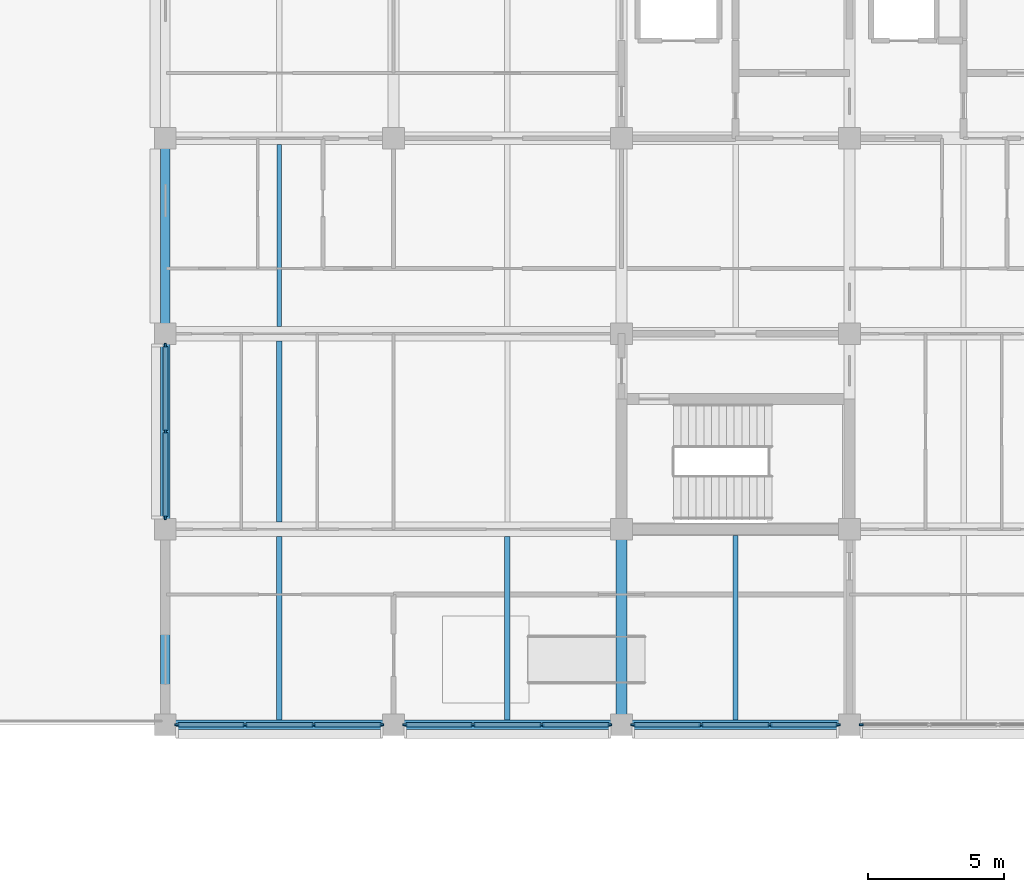
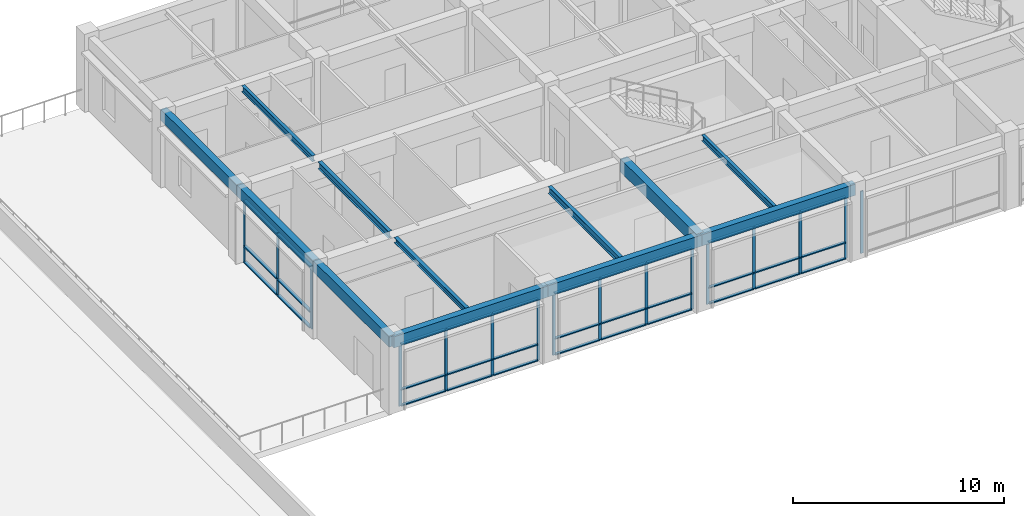
# One storey, part 2 of 40: 49 members, 12 beams, 5 elements without a shape of their own.
"""IFC4 building model written with IfcOpenShell, lengths in metres."""

from ifc_helpers import new_model, si_unit, direction, frame, origin, origin_2d, place, context, subcontext, project, spatial, rectangle, i_section, extrude, material, layer, layer_set, material_profile, profile_set, type_object, element, aggregate, save


model = new_model("IFC4")

# Units and contexts
model_context = context("Model", 3, precision=1e-05, world=origin(), true_north=direction((0.0, 1.0)))
body_context = subcontext(model_context, "Body", "Model", "MODEL_VIEW")
ifc_project = project(units=[si_unit("LENGTHUNIT", "METRE"), si_unit("AREAUNIT", "SQUARE_METRE"), si_unit("VOLUMEUNIT", "CUBIC_METRE"), si_unit("PLANEANGLEUNIT", "RADIAN"), si_unit("MASSUNIT", "GRAM", prefix="KILO")], contexts=[model_context])

# Site, building, storey
site_placement = place(None, origin())
site = spatial("IfcSite", under=ifc_project, at=site_placement, CompositionType="ELEMENT")
building_placement = place(site_placement, origin())
building = spatial("IfcBuilding", under=site, at=building_placement, Name="Chengyuan Square Courthouse", CompositionType="ELEMENT")
storey_placement = place(building_placement, frame((0.0, 0.0, 21.60009765625)))
storey = spatial("IfcBuildingStorey", under=building, at=storey_placement, Name="L05", CompositionType="ELEMENT", Elevation=21.60009765625)

# Beams
ifc_material_1 = material(Name="Concrete C40", Category="concrete")
ifc_material_profile_1 = material_profile(ifc_material_1, rectangle(XDim=0.39990234375, YDim=0.75, at=origin_2d()), Name="RC-BM-400x750")
ifc_profile_set_1 = profile_set([ifc_material_profile_1], Name="Concrete C40")
beam_type_1 = type_object("IfcBeamType", Name="BM-02", PredefinedType="USERDEFINED", material=ifc_profile_set_1)
beam_1_placement = place(storey_placement, frame((42.0, 79.199951171875, 3.864990234375), z_axis=(0.0, 1.0, 0.0), x_axis=(-1.0, 0.0, 0.0)))
element("IfcBeam", 1, at=beam_1_placement, inside=storey, type_object=beam_type_1, Name="Girder BM-L05-3274", ObjectType="GIRDER", PredefinedType="USERDEFINED", context=body_context, shape_type="SweptSolid", body=[
    extrude(rectangle(XDim=0.39990234375, YDim=0.75, at=origin_2d()), origin(), (0.0, 0.0, 1.0), 7.199951171875),
])
ifc_material_profile_2 = material_profile(ifc_material_1, rectangle(XDim=0.35009765625, YDim=0.64990234375, at=origin_2d()), Name="RC-BM-350x650")
ifc_profile_set_2 = profile_set([ifc_material_profile_2], Name="Concrete C40")
beam_type_2 = type_object("IfcBeamType", Name="BM-03", PredefinedType="SPANDREL", material=ifc_profile_set_2)
beam_2_placement = place(storey_placement, frame((25.199951171875, 79.199951171875, 3.914794921875), z_axis=(1.0, 0.0, 0.0), x_axis=(0.0, 1.0, 0.0)))
element("IfcBeam", 2, at=beam_2_placement, inside=storey, type_object=beam_type_2, Name="Girder BM-L05-3195", PredefinedType="SPANDREL", context=body_context, shape_type="SweptSolid", body=[
    extrude(rectangle(XDim=0.35009765625, YDim=0.64990234375, at=origin_2d()), origin(), (0.0, 0.0, 1.0), 8.400146484375),
])
for number, where, z_axis, x_axis, name in (
    (3, (33.60009765625, 79.199951171875, 3.914794921875), (1.0, 0.0, 0.0), (0.0, 1.0, 0.0), "Girder BM-L05-3196"),
    (4, (42.0, 79.199951171875, 3.914794921875), (1.0, 0.0, 0.0), (0.0, 1.0, 0.0), "Girder BM-L05-3197"),
):
    element("IfcBeam", number, at=place(storey_placement, frame(where, z_axis=z_axis, x_axis=x_axis)), inside=storey, type_object=beam_type_2, Name=name, PredefinedType="SPANDREL", context=body_context, shape_type="SweptSolid", body=[
        extrude(rectangle(XDim=0.35009765625, YDim=0.64990234375, at=origin_2d()), origin(), (0.0, 0.0, 1.0), 8.39990234375),
    ])
beam_3_placement = place(storey_placement, frame((25.199951171875, 79.199951171875, 3.914794921875), z_axis=(0.0, 1.0, 0.0), x_axis=(-1.0, 0.0, 0.0)))
element("IfcBeam", 5, at=beam_3_placement, inside=storey, type_object=beam_type_2, Name="Girder BM-L05-3269", PredefinedType="SPANDREL", context=body_context, shape_type="SweptSolid", body=[
    extrude(rectangle(XDim=0.35009765625, YDim=0.64990234375, at=origin_2d()), origin(), (0.0, 0.0, 1.0), 7.199951171875),
])
beam_4_placement = place(storey_placement, frame((25.199951171875, 86.39990234375, 3.914794921875), z_axis=(0.0, 1.0, 0.0), x_axis=(-1.0, 0.0, 0.0)))
element("IfcBeam", 6, at=beam_4_placement, inside=storey, type_object=beam_type_2, Name="Girder BM-L05-3270", PredefinedType="SPANDREL", context=body_context, shape_type="SweptSolid", body=[
    extrude(rectangle(XDim=0.35009765625, YDim=0.64990234375, at=origin_2d()), origin(), (0.0, 0.0, 1.0), 7.2001953125),
])
beam_5_placement = place(storey_placement, frame((25.199951171875, 93.60009765625, 3.914794921875), z_axis=(0.0, 1.0, 0.0), x_axis=(-1.0, 0.0, 0.0)))
element("IfcBeam", 7, at=beam_5_placement, inside=storey, type_object=beam_type_2, Name="Girder BM-L05-3271", PredefinedType="SPANDREL", context=body_context, shape_type="SweptSolid", body=[
    extrude(rectangle(XDim=0.35009765625, YDim=0.64990234375, at=origin_2d()), origin(), (0.0, 0.0, 1.0), 7.199951171875),
])
ifc_material_2 = material(Name="Steel Q355B", Category="steel")
ifc_material_profile_3 = material_profile(ifc_material_2, i_section(OverallWidth=0.199951171875, OverallDepth=0.39990234375, WebThickness=0.008056640625, FlangeThickness=0.012939453125, at=origin_2d()), Name="HN 400x200x8x13")
ifc_profile_set_3 = profile_set([ifc_material_profile_3], Name="Steel Q355B")
beam_type_3 = type_object("IfcBeamType", Name="BM-07", PredefinedType="BEAM", material=ifc_profile_set_3)
beam_6_placement = place(storey_placement, frame((29.39990234375, 86.675048828125, 4.039794921875), z_axis=(0.0, 1.0, 0.0), x_axis=(-1.0, 0.0, 0.0)))
element("IfcBeam", 8, at=beam_6_placement, inside=storey, type_object=beam_type_3, Name="Secondary Floor Beam SBM-L05-3333", PredefinedType="BEAM", context=body_context, shape_type="SweptSolid", body=[
    extrude(i_section(OverallWidth=0.199951171875, OverallDepth=0.39990234375, WebThickness=0.008056640625, FlangeThickness=0.012939453125, at=origin_2d()), origin(), (0.0, 0.0, 1.0), 6.64990234375),
])
beam_7_placement = place(storey_placement, frame((37.800048828125, 79.375, 4.039794921875), z_axis=(0.0, 1.0, 0.0), x_axis=(-1.0, 0.0, 0.0)))
element("IfcBeam", 9, at=beam_7_placement, inside=storey, type_object=beam_type_3, Name="Secondary Floor Beam SBM-L05-3336", PredefinedType="BEAM", context=body_context, shape_type="SweptSolid", body=[
    extrude(i_section(OverallWidth=0.199951171875, OverallDepth=0.39990234375, WebThickness=0.008056640625, FlangeThickness=0.012939453125, at=origin_2d()), origin(), (0.0, 0.0, 1.0), 6.75),
])
ifc_material_profile_4 = material_profile(ifc_material_2, i_section(OverallWidth=0.175048828125, OverallDepth=0.35009765625, WebThickness=0.007080078125, FlangeThickness=0.010986328125, at=origin_2d()), Name="HN 350x175x7x11")
ifc_profile_set_4 = profile_set([ifc_material_profile_4], Name="Steel Q355B")
beam_type_4 = type_object("IfcBeamType", Name="BM-08", PredefinedType="BEAM", material=ifc_profile_set_4)
beam_8_placement = place(storey_placement, frame((29.39990234375, 93.875, 4.06494140625), z_axis=(0.0, 1.0, 0.0), x_axis=(-1.0, 0.0, 0.0)))
element("IfcBeam", 10, at=beam_8_placement, inside=storey, type_object=beam_type_4, Name="Secondary Floor Beam SBM-L05-3334", PredefinedType="BEAM", context=body_context, shape_type="SweptSolid", body=[
    extrude(i_section(OverallWidth=0.175048828125, OverallDepth=0.35009765625, WebThickness=0.007080078125, FlangeThickness=0.010986328125, at=origin_2d()), origin(), (0.0, 0.0, 1.0), 6.699951171875),
])
beam_9_placement = place(storey_placement, frame((46.199951171875, 79.375, 4.06494140625), z_axis=(0.0, 1.0, 0.0), x_axis=(-1.0, 0.0, 0.0)))
element("IfcBeam", 11, at=beam_9_placement, inside=storey, type_object=beam_type_4, Name="Secondary Floor Beam SBM-L05-3340", PredefinedType="BEAM", context=body_context, shape_type="SweptSolid", body=[
    extrude(i_section(OverallWidth=0.175048828125, OverallDepth=0.35009765625, WebThickness=0.007080078125, FlangeThickness=0.010986328125, at=origin_2d()), origin(), (0.0, 0.0, 1.0), 6.800048828125),
])
ifc_material_profile_5 = material_profile(ifc_material_2, i_section(OverallWidth=0.199951171875, OverallDepth=0.300048828125, WebThickness=0.008056640625, FlangeThickness=0.011962890625, at=origin_2d()), Name="HM 300x200x8x12")
ifc_profile_set_5 = profile_set([ifc_material_profile_5], Name="Steel Q355B")
beam_type_5 = type_object("IfcBeamType", Name="BM-09", PredefinedType="BEAM", material=ifc_profile_set_5)
beam_10_placement = place(storey_placement, frame((29.39990234375, 79.375, 4.08984375), z_axis=(0.0, 1.0, 0.0), x_axis=(-1.0, 0.0, 0.0)))
element("IfcBeam", 12, at=beam_10_placement, inside=storey, type_object=beam_type_5, Name="Secondary Floor Beam SBM-L05-3332", PredefinedType="BEAM", context=body_context, shape_type="SweptSolid", body=[
    extrude(i_section(OverallWidth=0.199951171875, OverallDepth=0.300048828125, WebThickness=0.008056640625, FlangeThickness=0.011962890625, at=origin_2d()), origin(), (0.0, 0.0, 1.0), 6.75),
])

# Curtain wall, members
ifc_material_3 = material(Name="Unitised Aluminium and Triple Low-E Glass", Category="aluminium")
ifc_layer_1 = layer(ifc_material_3, 0.159912109375)
ifc_layer_set_1 = layer_set([ifc_layer_1], Name="Unitised Aluminium and Triple Low-E Glass")
curtain_wall_type_1 = type_object("IfcCurtainWallType", Name="CW-13", PredefinedType="USERDEFINED", material=ifc_layer_set_1)
curtain_wall_1_placement = place(storey_placement, origin())
curtain_wall_1 = element("IfcCurtainWall", 13, at=curtain_wall_1_placement, inside=storey, type_object=curtain_wall_type_1, Name="Unitised Curtain Wall CW-L05-163", ObjectType="UNITISED CURTAIN WALL", PredefinedType="USERDEFINED")
ifc_material_4 = material(Name="Aluminium 6063-T6 Frame", Category="aluminium")
ifc_material_profile_6 = material_profile(ifc_material_4, rectangle(XDim=0.06005859375, YDim=0.159912109375, at=origin_2d()), Name="CW-MUL-60x160")
ifc_profile_set_6 = profile_set([ifc_material_profile_6], Name="Aluminium 6063-T6 Frame")
member_type_1 = type_object("IfcMemberType", Name="CWM-01", PredefinedType="MULLION", material=ifc_profile_set_6)
member_1_placement = place(storey_placement, frame((25.6298828125, 79.199951171875, 0.0), z_axis=(0.0, 0.0, 1.0), x_axis=(0.0, 1.0, 0.0)))
member_1 = element("IfcMember", 14, at=member_1_placement, type_object=member_type_1, Name="CW-13 mullion 1", PredefinedType="MULLION", context=body_context, shape_type="SweptSolid", body=[
    extrude(rectangle(XDim=0.06005859375, YDim=0.159912109375, at=origin_2d()), origin(), (0.0, 0.0, 1.0), 3.58984375),
])
member_2_placement = place(storey_placement, frame((28.13330078125, 79.199951171875, 0.0), z_axis=(0.0, 0.0, 1.0), x_axis=(0.0, 1.0, 0.0)))
member_2 = element("IfcMember", 15, at=member_2_placement, type_object=member_type_1, Name="CW-13 mullion 2", PredefinedType="MULLION", context=body_context, shape_type="SweptSolid", body=[
    extrude(rectangle(XDim=0.06005859375, YDim=0.159912109375, at=origin_2d()), origin(), (0.0, 0.0, 1.0), 3.58984375),
])
member_3_placement = place(storey_placement, frame((30.666748046875, 79.199951171875, 0.0), z_axis=(0.0, 0.0, 1.0), x_axis=(0.0, 1.0, 0.0)))
member_3 = element("IfcMember", 16, at=member_3_placement, type_object=member_type_1, Name="CW-13 mullion 3", PredefinedType="MULLION", context=body_context, shape_type="SweptSolid", body=[
    extrude(rectangle(XDim=0.06005859375, YDim=0.159912109375, at=origin_2d()), origin(), (0.0, 0.0, 1.0), 3.58984375),
])
member_4_placement = place(storey_placement, frame((33.169921875, 79.199951171875, 0.0), z_axis=(0.0, 0.0, 1.0), x_axis=(0.0, 1.0, 0.0)))
member_4 = element("IfcMember", 17, at=member_4_placement, type_object=member_type_1, Name="CW-13 mullion 4", PredefinedType="MULLION", context=body_context, shape_type="SweptSolid", body=[
    extrude(rectangle(XDim=0.06005859375, YDim=0.159912109375, at=origin_2d()), origin(), (0.0, 0.0, 1.0), 3.58984375),
])

curtain_wall_2_placement = place(storey_placement, origin())
curtain_wall_2 = element("IfcCurtainWall", 18, at=curtain_wall_2_placement, inside=storey, type_object=curtain_wall_type_1, Name="Unitised Curtain Wall CW-L05-165", ObjectType="UNITISED CURTAIN WALL", PredefinedType="USERDEFINED")
member_5_placement = place(storey_placement, frame((34.030029296875, 79.199951171875, 0.0), z_axis=(0.0, 0.0, 1.0), x_axis=(0.0, 1.0, 0.0)))
member_5 = element("IfcMember", 19, at=member_5_placement, type_object=member_type_1, Name="CW-13 mullion 1", PredefinedType="MULLION", context=body_context, shape_type="SweptSolid", body=[
    extrude(rectangle(XDim=0.06005859375, YDim=0.159912109375, at=origin_2d()), origin(), (0.0, 0.0, 1.0), 3.58984375),
])
member_6_placement = place(storey_placement, frame((36.533447265625, 79.199951171875, 0.0), z_axis=(0.0, 0.0, 1.0), x_axis=(0.0, 1.0, 0.0)))
member_6 = element("IfcMember", 20, at=member_6_placement, type_object=member_type_1, Name="CW-13 mullion 2", PredefinedType="MULLION", context=body_context, shape_type="SweptSolid", body=[
    extrude(rectangle(XDim=0.06005859375, YDim=0.159912109375, at=origin_2d()), origin(), (0.0, 0.0, 1.0), 3.58984375),
])
member_7_placement = place(storey_placement, frame((39.066650390625, 79.199951171875, 0.0), z_axis=(0.0, 0.0, 1.0), x_axis=(0.0, 1.0, 0.0)))
member_7 = element("IfcMember", 21, at=member_7_placement, type_object=member_type_1, Name="CW-13 mullion 3", PredefinedType="MULLION", context=body_context, shape_type="SweptSolid", body=[
    extrude(rectangle(XDim=0.06005859375, YDim=0.159912109375, at=origin_2d()), origin(), (0.0, 0.0, 1.0), 3.58984375),
])
member_8_placement = place(storey_placement, frame((41.570068359375, 79.199951171875, 0.0), z_axis=(0.0, 0.0, 1.0), x_axis=(0.0, 1.0, 0.0)))
member_8 = element("IfcMember", 22, at=member_8_placement, type_object=member_type_1, Name="CW-13 mullion 4", PredefinedType="MULLION", context=body_context, shape_type="SweptSolid", body=[
    extrude(rectangle(XDim=0.06005859375, YDim=0.159912109375, at=origin_2d()), origin(), (0.0, 0.0, 1.0), 3.58984375),
])

curtain_wall_3_placement = place(storey_placement, origin())
curtain_wall_3 = element("IfcCurtainWall", 23, at=curtain_wall_3_placement, inside=storey, type_object=curtain_wall_type_1, Name="Unitised Curtain Wall CW-L05-167", ObjectType="UNITISED CURTAIN WALL", PredefinedType="USERDEFINED")
member_9_placement = place(storey_placement, frame((42.429931640625, 79.199951171875, 0.0), z_axis=(0.0, 0.0, 1.0), x_axis=(0.0, 1.0, 0.0)))
member_9 = element("IfcMember", 24, at=member_9_placement, type_object=member_type_1, Name="CW-13 mullion 1", PredefinedType="MULLION", context=body_context, shape_type="SweptSolid", body=[
    extrude(rectangle(XDim=0.06005859375, YDim=0.159912109375, at=origin_2d()), origin(), (0.0, 0.0, 1.0), 3.58984375),
])
member_10_placement = place(storey_placement, frame((44.933349609375, 79.199951171875, 0.0), z_axis=(0.0, 0.0, 1.0), x_axis=(0.0, 1.0, 0.0)))
member_10 = element("IfcMember", 25, at=member_10_placement, type_object=member_type_1, Name="CW-13 mullion 2", PredefinedType="MULLION", context=body_context, shape_type="SweptSolid", body=[
    extrude(rectangle(XDim=0.06005859375, YDim=0.159912109375, at=origin_2d()), origin(), (0.0, 0.0, 1.0), 3.58984375),
])
member_11_placement = place(storey_placement, frame((47.466552734375, 79.199951171875, 0.0), z_axis=(0.0, 0.0, 1.0), x_axis=(0.0, 1.0, 0.0)))
member_11 = element("IfcMember", 26, at=member_11_placement, type_object=member_type_1, Name="CW-13 mullion 3", PredefinedType="MULLION", context=body_context, shape_type="SweptSolid", body=[
    extrude(rectangle(XDim=0.06005859375, YDim=0.159912109375, at=origin_2d()), origin(), (0.0, 0.0, 1.0), 3.58984375),
])
member_12_placement = place(storey_placement, frame((49.969970703125, 79.199951171875, 0.0), z_axis=(0.0, 0.0, 1.0), x_axis=(0.0, 1.0, 0.0)))
member_12 = element("IfcMember", 27, at=member_12_placement, type_object=member_type_1, Name="CW-13 mullion 4", PredefinedType="MULLION", context=body_context, shape_type="SweptSolid", body=[
    extrude(rectangle(XDim=0.06005859375, YDim=0.159912109375, at=origin_2d()), origin(), (0.0, 0.0, 1.0), 3.58984375),
])

# Curtain wall, member
curtain_wall_4_placement = place(storey_placement, origin())
curtain_wall_4 = element("IfcCurtainWall", 28, at=curtain_wall_4_placement, inside=storey, type_object=curtain_wall_type_1, Name="Unitised Curtain Wall CW-L05-168", ObjectType="UNITISED CURTAIN WALL", PredefinedType="USERDEFINED")
member_13_placement = place(storey_placement, frame((50.830078125, 79.199951171875, 0.0), z_axis=(0.0, 0.0, 1.0), x_axis=(0.0, 1.0, 0.0)))
member_13 = element("IfcMember", 29, at=member_13_placement, type_object=member_type_1, Name="CW-13 mullion 1", PredefinedType="MULLION", context=body_context, shape_type="SweptSolid", body=[
    extrude(rectangle(XDim=0.06005859375, YDim=0.159912109375, at=origin_2d()), origin(), (0.0, 0.0, 1.0), 3.58984375),
])
aggregate(curtain_wall_4, [member_13])

# Curtain wall, members
ifc_layer_2 = layer(ifc_material_3, 0.179931640625)
ifc_layer_set_2 = layer_set([ifc_layer_2], Name="Unitised Aluminium and Triple Low-E Glass")
curtain_wall_type_2 = type_object("IfcCurtainWallType", Name="CW-02", PredefinedType="USERDEFINED", material=ifc_layer_set_2)
curtain_wall_5_placement = place(storey_placement, origin())
curtain_wall_5 = element("IfcCurtainWall", 30, at=curtain_wall_5_placement, inside=storey, type_object=curtain_wall_type_2, Name="Unitised Curtain Wall CW-L05-164", ObjectType="UNITISED CURTAIN WALL", PredefinedType="USERDEFINED")
ifc_material_profile_7 = material_profile(ifc_material_4, rectangle(XDim=0.06494140625, YDim=0.179931640625, at=origin_2d()), Name="CW-MUL-65x180")
ifc_profile_set_7 = profile_set([ifc_material_profile_7], Name="Aluminium 6063-T6 Frame")
member_type_2 = type_object("IfcMemberType", Name="CWM-02", PredefinedType="MULLION", material=ifc_profile_set_7)
member_14_placement = place(storey_placement, frame((25.199951171875, 86.83251953125, 0.0), z_axis=(0.0, 0.0, 1.0), x_axis=(-1.0, 0.0, 0.0)))
member_14 = element("IfcMember", 31, at=member_14_placement, type_object=member_type_2, Name="CW-02 mullion 1", PredefinedType="MULLION", context=body_context, shape_type="SweptSolid", body=[
    extrude(rectangle(XDim=0.06494140625, YDim=0.179931640625, at=origin_2d()), origin(), (0.0, 0.0, 1.0), 3.58984375),
])
member_15_placement = place(storey_placement, frame((25.199951171875, 90.0, 0.0), z_axis=(0.0, 0.0, 1.0), x_axis=(-1.0, 0.0, 0.0)))
member_15 = element("IfcMember", 32, at=member_15_placement, type_object=member_type_2, Name="CW-02 mullion 2", PredefinedType="MULLION", context=body_context, shape_type="SweptSolid", body=[
    extrude(rectangle(XDim=0.06494140625, YDim=0.179931640625, at=origin_2d()), origin(), (0.0, 0.0, 1.0), 3.58984375),
])
member_16_placement = place(storey_placement, frame((25.199951171875, 93.16748046875, 0.0), z_axis=(0.0, 0.0, 1.0), x_axis=(-1.0, 0.0, 0.0)))
member_16 = element("IfcMember", 33, at=member_16_placement, type_object=member_type_2, Name="CW-02 mullion 3", PredefinedType="MULLION", context=body_context, shape_type="SweptSolid", body=[
    extrude(rectangle(XDim=0.06494140625, YDim=0.179931640625, at=origin_2d()), origin(), (0.0, 0.0, 1.0), 3.58984375),
])

# Member
ifc_material_profile_8 = material_profile(ifc_material_4, rectangle(XDim=0.159912109375, YDim=0.06005859375, at=origin_2d()), Name="CW-TRN-60x120")
ifc_profile_set_8 = profile_set([ifc_material_profile_8], Name="Aluminium 6063-T6 Frame")
member_type_3 = type_object("IfcMemberType", Name="CWT-01", PredefinedType="USERDEFINED", material=ifc_profile_set_8)
member_17_placement = place(storey_placement, frame((25.659912109375, 79.199951171875, 0.02978515625), z_axis=(1.0, 0.0, 0.0), x_axis=(0.0, 1.0, 0.0)))
member_17 = element("IfcMember", 34, at=member_17_placement, type_object=member_type_3, Name="CW-13 transom 1.1", ObjectType="TRANSOM", PredefinedType="USERDEFINED", context=body_context, shape_type="SweptSolid", body=[
    extrude(rectangle(XDim=0.159912109375, YDim=0.06005859375, at=origin_2d()), origin(), (0.0, 0.0, 1.0), 2.443359375),
])

member_18_placement = place(storey_placement, frame((25.659912109375, 79.199951171875, 0.949951171875), z_axis=(1.0, 0.0, 0.0), x_axis=(0.0, 1.0, 0.0)))
member_18 = element("IfcMember", 35, at=member_18_placement, type_object=member_type_3, Name="CW-13 transom 1.2", ObjectType="TRANSOM", PredefinedType="USERDEFINED", context=body_context, shape_type="SweptSolid", body=[
    extrude(rectangle(XDim=0.159912109375, YDim=0.06005859375, at=origin_2d()), origin(), (0.0, 0.0, 1.0), 2.443359375),
])

member_19_placement = place(storey_placement, frame((25.659912109375, 79.199951171875, 3.559814453125), z_axis=(1.0, 0.0, 0.0), x_axis=(0.0, 1.0, 0.0)))
member_19 = element("IfcMember", 36, at=member_19_placement, type_object=member_type_3, Name="CW-13 transom 1.3", ObjectType="TRANSOM", PredefinedType="USERDEFINED", context=body_context, shape_type="SweptSolid", body=[
    extrude(rectangle(XDim=0.159912109375, YDim=0.06005859375, at=origin_2d()), origin(), (0.0, 0.0, 1.0), 2.443359375),
])

member_20_placement = place(storey_placement, frame((28.163330078125, 79.199951171875, 0.02978515625), z_axis=(1.0, 0.0, 0.0), x_axis=(0.0, 1.0, 0.0)))
member_20 = element("IfcMember", 37, at=member_20_placement, type_object=member_type_3, Name="CW-13 transom 2.1", ObjectType="TRANSOM", PredefinedType="USERDEFINED", context=body_context, shape_type="SweptSolid", body=[
    extrude(rectangle(XDim=0.159912109375, YDim=0.06005859375, at=origin_2d()), origin(), (0.0, 0.0, 1.0), 2.473388671875),
])

member_21_placement = place(storey_placement, frame((28.163330078125, 79.199951171875, 0.949951171875), z_axis=(1.0, 0.0, 0.0), x_axis=(0.0, 1.0, 0.0)))
member_21 = element("IfcMember", 38, at=member_21_placement, type_object=member_type_3, Name="CW-13 transom 2.2", ObjectType="TRANSOM", PredefinedType="USERDEFINED", context=body_context, shape_type="SweptSolid", body=[
    extrude(rectangle(XDim=0.159912109375, YDim=0.06005859375, at=origin_2d()), origin(), (0.0, 0.0, 1.0), 2.473388671875),
])

member_22_placement = place(storey_placement, frame((28.163330078125, 79.199951171875, 3.559814453125), z_axis=(1.0, 0.0, 0.0), x_axis=(0.0, 1.0, 0.0)))
member_22 = element("IfcMember", 39, at=member_22_placement, type_object=member_type_3, Name="CW-13 transom 2.3", ObjectType="TRANSOM", PredefinedType="USERDEFINED", context=body_context, shape_type="SweptSolid", body=[
    extrude(rectangle(XDim=0.159912109375, YDim=0.06005859375, at=origin_2d()), origin(), (0.0, 0.0, 1.0), 2.473388671875),
])

member_23_placement = place(storey_placement, frame((30.69677734375, 79.199951171875, 0.02978515625), z_axis=(1.0, 0.0, 0.0), x_axis=(0.0, 1.0, 0.0)))
member_23 = element("IfcMember", 40, at=member_23_placement, type_object=member_type_3, Name="CW-13 transom 3.1", ObjectType="TRANSOM", PredefinedType="USERDEFINED", context=body_context, shape_type="SweptSolid", body=[
    extrude(rectangle(XDim=0.159912109375, YDim=0.06005859375, at=origin_2d()), origin(), (0.0, 0.0, 1.0), 2.443115234375),
])

member_24_placement = place(storey_placement, frame((30.69677734375, 79.199951171875, 0.949951171875), z_axis=(1.0, 0.0, 0.0), x_axis=(0.0, 1.0, 0.0)))
member_24 = element("IfcMember", 41, at=member_24_placement, type_object=member_type_3, Name="CW-13 transom 3.2", ObjectType="TRANSOM", PredefinedType="USERDEFINED", context=body_context, shape_type="SweptSolid", body=[
    extrude(rectangle(XDim=0.159912109375, YDim=0.06005859375, at=origin_2d()), origin(), (0.0, 0.0, 1.0), 2.443115234375),
])

member_25_placement = place(storey_placement, frame((30.69677734375, 79.199951171875, 3.559814453125), z_axis=(1.0, 0.0, 0.0), x_axis=(0.0, 1.0, 0.0)))
member_25 = element("IfcMember", 42, at=member_25_placement, type_object=member_type_3, Name="CW-13 transom 3.3", ObjectType="TRANSOM", PredefinedType="USERDEFINED", context=body_context, shape_type="SweptSolid", body=[
    extrude(rectangle(XDim=0.159912109375, YDim=0.06005859375, at=origin_2d()), origin(), (0.0, 0.0, 1.0), 2.443115234375),
])

aggregate(curtain_wall_1, [member_1, member_2, member_3, member_4, member_17, member_18, member_19, member_20, member_21, member_22, member_23, member_24, member_25])

member_26_placement = place(storey_placement, frame((34.06005859375, 79.199951171875, 0.02978515625), z_axis=(1.0, 0.0, 0.0), x_axis=(0.0, 1.0, 0.0)))
member_26 = element("IfcMember", 43, at=member_26_placement, type_object=member_type_3, Name="CW-13 transom 1.1", ObjectType="TRANSOM", PredefinedType="USERDEFINED", context=body_context, shape_type="SweptSolid", body=[
    extrude(rectangle(XDim=0.159912109375, YDim=0.06005859375, at=origin_2d()), origin(), (0.0, 0.0, 1.0), 2.443359375),
])

member_27_placement = place(storey_placement, frame((34.06005859375, 79.199951171875, 0.949951171875), z_axis=(1.0, 0.0, 0.0), x_axis=(0.0, 1.0, 0.0)))
member_27 = element("IfcMember", 44, at=member_27_placement, type_object=member_type_3, Name="CW-13 transom 1.2", ObjectType="TRANSOM", PredefinedType="USERDEFINED", context=body_context, shape_type="SweptSolid", body=[
    extrude(rectangle(XDim=0.159912109375, YDim=0.06005859375, at=origin_2d()), origin(), (0.0, 0.0, 1.0), 2.443359375),
])

member_28_placement = place(storey_placement, frame((34.06005859375, 79.199951171875, 3.559814453125), z_axis=(1.0, 0.0, 0.0), x_axis=(0.0, 1.0, 0.0)))
member_28 = element("IfcMember", 45, at=member_28_placement, type_object=member_type_3, Name="CW-13 transom 1.3", ObjectType="TRANSOM", PredefinedType="USERDEFINED", context=body_context, shape_type="SweptSolid", body=[
    extrude(rectangle(XDim=0.159912109375, YDim=0.06005859375, at=origin_2d()), origin(), (0.0, 0.0, 1.0), 2.443359375),
])

member_29_placement = place(storey_placement, frame((36.563232421875, 79.199951171875, 0.02978515625), z_axis=(1.0, 0.0, 0.0), x_axis=(0.0, 1.0, 0.0)))
member_29 = element("IfcMember", 46, at=member_29_placement, type_object=member_type_3, Name="CW-13 transom 2.1", ObjectType="TRANSOM", PredefinedType="USERDEFINED", context=body_context, shape_type="SweptSolid", body=[
    extrude(rectangle(XDim=0.159912109375, YDim=0.06005859375, at=origin_2d()), origin(), (0.0, 0.0, 1.0), 2.473388671875),
])

member_30_placement = place(storey_placement, frame((36.563232421875, 79.199951171875, 0.949951171875), z_axis=(1.0, 0.0, 0.0), x_axis=(0.0, 1.0, 0.0)))
member_30 = element("IfcMember", 47, at=member_30_placement, type_object=member_type_3, Name="CW-13 transom 2.2", ObjectType="TRANSOM", PredefinedType="USERDEFINED", context=body_context, shape_type="SweptSolid", body=[
    extrude(rectangle(XDim=0.159912109375, YDim=0.06005859375, at=origin_2d()), origin(), (0.0, 0.0, 1.0), 2.473388671875),
])

member_31_placement = place(storey_placement, frame((36.563232421875, 79.199951171875, 3.559814453125), z_axis=(1.0, 0.0, 0.0), x_axis=(0.0, 1.0, 0.0)))
member_31 = element("IfcMember", 48, at=member_31_placement, type_object=member_type_3, Name="CW-13 transom 2.3", ObjectType="TRANSOM", PredefinedType="USERDEFINED", context=body_context, shape_type="SweptSolid", body=[
    extrude(rectangle(XDim=0.159912109375, YDim=0.06005859375, at=origin_2d()), origin(), (0.0, 0.0, 1.0), 2.473388671875),
])

member_32_placement = place(storey_placement, frame((39.0966796875, 79.199951171875, 0.02978515625), z_axis=(1.0, 0.0, 0.0), x_axis=(0.0, 1.0, 0.0)))
member_32 = element("IfcMember", 49, at=member_32_placement, type_object=member_type_3, Name="CW-13 transom 3.1", ObjectType="TRANSOM", PredefinedType="USERDEFINED", context=body_context, shape_type="SweptSolid", body=[
    extrude(rectangle(XDim=0.159912109375, YDim=0.06005859375, at=origin_2d()), origin(), (0.0, 0.0, 1.0), 2.443359375),
])

member_33_placement = place(storey_placement, frame((39.0966796875, 79.199951171875, 0.949951171875), z_axis=(1.0, 0.0, 0.0), x_axis=(0.0, 1.0, 0.0)))
member_33 = element("IfcMember", 50, at=member_33_placement, type_object=member_type_3, Name="CW-13 transom 3.2", ObjectType="TRANSOM", PredefinedType="USERDEFINED", context=body_context, shape_type="SweptSolid", body=[
    extrude(rectangle(XDim=0.159912109375, YDim=0.06005859375, at=origin_2d()), origin(), (0.0, 0.0, 1.0), 2.443359375),
])

member_34_placement = place(storey_placement, frame((39.0966796875, 79.199951171875, 3.559814453125), z_axis=(1.0, 0.0, 0.0), x_axis=(0.0, 1.0, 0.0)))
member_34 = element("IfcMember", 51, at=member_34_placement, type_object=member_type_3, Name="CW-13 transom 3.3", ObjectType="TRANSOM", PredefinedType="USERDEFINED", context=body_context, shape_type="SweptSolid", body=[
    extrude(rectangle(XDim=0.159912109375, YDim=0.06005859375, at=origin_2d()), origin(), (0.0, 0.0, 1.0), 2.443359375),
])

aggregate(curtain_wall_2, [member_5, member_6, member_7, member_8, member_26, member_27, member_28, member_29, member_30, member_31, member_32, member_33, member_34])

member_35_placement = place(storey_placement, frame((42.4599609375, 79.199951171875, 0.02978515625), z_axis=(1.0, 0.0, 0.0), x_axis=(0.0, 1.0, 0.0)))
member_35 = element("IfcMember", 52, at=member_35_placement, type_object=member_type_3, Name="CW-13 transom 1.1", ObjectType="TRANSOM", PredefinedType="USERDEFINED", context=body_context, shape_type="SweptSolid", body=[
    extrude(rectangle(XDim=0.159912109375, YDim=0.06005859375, at=origin_2d()), origin(), (0.0, 0.0, 1.0), 2.443359375),
])

member_36_placement = place(storey_placement, frame((42.4599609375, 79.199951171875, 0.949951171875), z_axis=(1.0, 0.0, 0.0), x_axis=(0.0, 1.0, 0.0)))
member_36 = element("IfcMember", 53, at=member_36_placement, type_object=member_type_3, Name="CW-13 transom 1.2", ObjectType="TRANSOM", PredefinedType="USERDEFINED", context=body_context, shape_type="SweptSolid", body=[
    extrude(rectangle(XDim=0.159912109375, YDim=0.06005859375, at=origin_2d()), origin(), (0.0, 0.0, 1.0), 2.443359375),
])

member_37_placement = place(storey_placement, frame((42.4599609375, 79.199951171875, 3.559814453125), z_axis=(1.0, 0.0, 0.0), x_axis=(0.0, 1.0, 0.0)))
member_37 = element("IfcMember", 54, at=member_37_placement, type_object=member_type_3, Name="CW-13 transom 1.3", ObjectType="TRANSOM", PredefinedType="USERDEFINED", context=body_context, shape_type="SweptSolid", body=[
    extrude(rectangle(XDim=0.159912109375, YDim=0.06005859375, at=origin_2d()), origin(), (0.0, 0.0, 1.0), 2.443359375),
])

member_38_placement = place(storey_placement, frame((44.96337890625, 79.199951171875, 0.02978515625), z_axis=(1.0, 0.0, 0.0), x_axis=(0.0, 1.0, 0.0)))
member_38 = element("IfcMember", 55, at=member_38_placement, type_object=member_type_3, Name="CW-13 transom 2.1", ObjectType="TRANSOM", PredefinedType="USERDEFINED", context=body_context, shape_type="SweptSolid", body=[
    extrude(rectangle(XDim=0.159912109375, YDim=0.06005859375, at=origin_2d()), origin(), (0.0, 0.0, 1.0), 2.473388671875),
])

member_39_placement = place(storey_placement, frame((44.96337890625, 79.199951171875, 0.949951171875), z_axis=(1.0, 0.0, 0.0), x_axis=(0.0, 1.0, 0.0)))
member_39 = element("IfcMember", 56, at=member_39_placement, type_object=member_type_3, Name="CW-13 transom 2.2", ObjectType="TRANSOM", PredefinedType="USERDEFINED", context=body_context, shape_type="SweptSolid", body=[
    extrude(rectangle(XDim=0.159912109375, YDim=0.06005859375, at=origin_2d()), origin(), (0.0, 0.0, 1.0), 2.473388671875),
])

member_40_placement = place(storey_placement, frame((44.96337890625, 79.199951171875, 3.559814453125), z_axis=(1.0, 0.0, 0.0), x_axis=(0.0, 1.0, 0.0)))
member_40 = element("IfcMember", 57, at=member_40_placement, type_object=member_type_3, Name="CW-13 transom 2.3", ObjectType="TRANSOM", PredefinedType="USERDEFINED", context=body_context, shape_type="SweptSolid", body=[
    extrude(rectangle(XDim=0.159912109375, YDim=0.06005859375, at=origin_2d()), origin(), (0.0, 0.0, 1.0), 2.473388671875),
])

member_41_placement = place(storey_placement, frame((47.49658203125, 79.199951171875, 0.02978515625), z_axis=(1.0, 0.0, 0.0), x_axis=(0.0, 1.0, 0.0)))
member_41 = element("IfcMember", 58, at=member_41_placement, type_object=member_type_3, Name="CW-13 transom 3.1", ObjectType="TRANSOM", PredefinedType="USERDEFINED", context=body_context, shape_type="SweptSolid", body=[
    extrude(rectangle(XDim=0.159912109375, YDim=0.06005859375, at=origin_2d()), origin(), (0.0, 0.0, 1.0), 2.443359375),
])

member_42_placement = place(storey_placement, frame((47.49658203125, 79.199951171875, 0.949951171875), z_axis=(1.0, 0.0, 0.0), x_axis=(0.0, 1.0, 0.0)))
member_42 = element("IfcMember", 59, at=member_42_placement, type_object=member_type_3, Name="CW-13 transom 3.2", ObjectType="TRANSOM", PredefinedType="USERDEFINED", context=body_context, shape_type="SweptSolid", body=[
    extrude(rectangle(XDim=0.159912109375, YDim=0.06005859375, at=origin_2d()), origin(), (0.0, 0.0, 1.0), 2.443359375),
])

member_43_placement = place(storey_placement, frame((47.49658203125, 79.199951171875, 3.559814453125), z_axis=(1.0, 0.0, 0.0), x_axis=(0.0, 1.0, 0.0)))
member_43 = element("IfcMember", 60, at=member_43_placement, type_object=member_type_3, Name="CW-13 transom 3.3", ObjectType="TRANSOM", PredefinedType="USERDEFINED", context=body_context, shape_type="SweptSolid", body=[
    extrude(rectangle(XDim=0.159912109375, YDim=0.06005859375, at=origin_2d()), origin(), (0.0, 0.0, 1.0), 2.443359375),
])

aggregate(curtain_wall_3, [member_9, member_10, member_11, member_12, member_35, member_36, member_37, member_38, member_39, member_40, member_41, member_42, member_43])

ifc_material_profile_9 = material_profile(ifc_material_4, rectangle(XDim=0.179931640625, YDim=0.06494140625, at=origin_2d()), Name="CW-TRN-65x140")
ifc_profile_set_9 = profile_set([ifc_material_profile_9], Name="Aluminium 6063-T6 Frame")
member_type_4 = type_object("IfcMemberType", Name="CWT-02", PredefinedType="USERDEFINED", material=ifc_profile_set_9)
member_44_placement = place(storey_placement, frame((25.199951171875, 86.864990234375, 0.032470703125), z_axis=(0.0, 1.0, 0.0), x_axis=(-1.0, 0.0, 0.0)))
member_44 = element("IfcMember", 61, at=member_44_placement, type_object=member_type_4, Name="CW-02 transom 1.1", ObjectType="TRANSOM", PredefinedType="USERDEFINED", context=body_context, shape_type="SweptSolid", body=[
    extrude(rectangle(XDim=0.179931640625, YDim=0.06494140625, at=origin_2d()), origin(), (0.0, 0.0, 1.0), 3.1025390625),
])

member_45_placement = place(storey_placement, frame((25.199951171875, 86.864990234375, 0.949951171875), z_axis=(0.0, 1.0, 0.0), x_axis=(-1.0, 0.0, 0.0)))
member_45 = element("IfcMember", 62, at=member_45_placement, type_object=member_type_4, Name="CW-02 transom 1.2", ObjectType="TRANSOM", PredefinedType="USERDEFINED", context=body_context, shape_type="SweptSolid", body=[
    extrude(rectangle(XDim=0.179931640625, YDim=0.06494140625, at=origin_2d()), origin(), (0.0, 0.0, 1.0), 3.1025390625),
])

member_46_placement = place(storey_placement, frame((25.199951171875, 86.864990234375, 3.557373046875), z_axis=(0.0, 1.0, 0.0), x_axis=(-1.0, 0.0, 0.0)))
member_46 = element("IfcMember", 63, at=member_46_placement, type_object=member_type_4, Name="CW-02 transom 1.3", ObjectType="TRANSOM", PredefinedType="USERDEFINED", context=body_context, shape_type="SweptSolid", body=[
    extrude(rectangle(XDim=0.179931640625, YDim=0.06494140625, at=origin_2d()), origin(), (0.0, 0.0, 1.0), 3.1025390625),
])

member_47_placement = place(storey_placement, frame((25.199951171875, 90.032470703125, 0.032470703125), z_axis=(0.0, 1.0, 0.0), x_axis=(-1.0, 0.0, 0.0)))
member_47 = element("IfcMember", 64, at=member_47_placement, type_object=member_type_4, Name="CW-02 transom 2.1", ObjectType="TRANSOM", PredefinedType="USERDEFINED", context=body_context, shape_type="SweptSolid", body=[
    extrude(rectangle(XDim=0.179931640625, YDim=0.06494140625, at=origin_2d()), origin(), (0.0, 0.0, 1.0), 3.1025390625),
])

member_48_placement = place(storey_placement, frame((25.199951171875, 90.032470703125, 0.949951171875), z_axis=(0.0, 1.0, 0.0), x_axis=(-1.0, 0.0, 0.0)))
member_48 = element("IfcMember", 65, at=member_48_placement, type_object=member_type_4, Name="CW-02 transom 2.2", ObjectType="TRANSOM", PredefinedType="USERDEFINED", context=body_context, shape_type="SweptSolid", body=[
    extrude(rectangle(XDim=0.179931640625, YDim=0.06494140625, at=origin_2d()), origin(), (0.0, 0.0, 1.0), 3.1025390625),
])

member_49_placement = place(storey_placement, frame((25.199951171875, 90.032470703125, 3.557373046875), z_axis=(0.0, 1.0, 0.0), x_axis=(-1.0, 0.0, 0.0)))
member_49 = element("IfcMember", 66, at=member_49_placement, type_object=member_type_4, Name="CW-02 transom 2.3", ObjectType="TRANSOM", PredefinedType="USERDEFINED", context=body_context, shape_type="SweptSolid", body=[
    extrude(rectangle(XDim=0.179931640625, YDim=0.06494140625, at=origin_2d()), origin(), (0.0, 0.0, 1.0), 3.1025390625),
])

aggregate(curtain_wall_5, [member_14, member_15, member_16, member_44, member_45, member_46, member_47, member_48, member_49])

save(model, "model.ifc")
